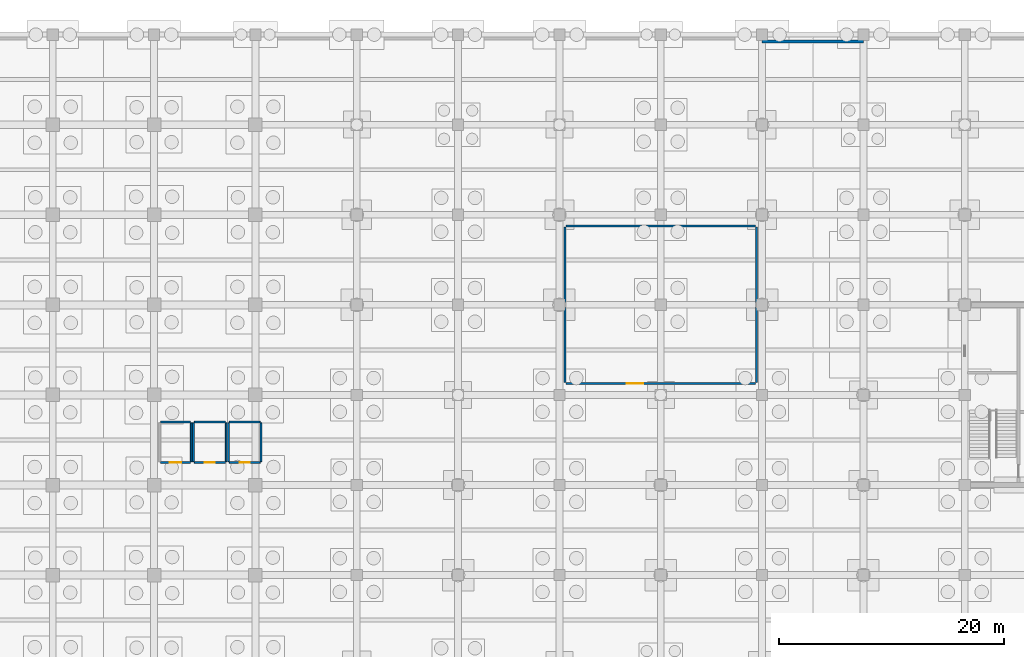
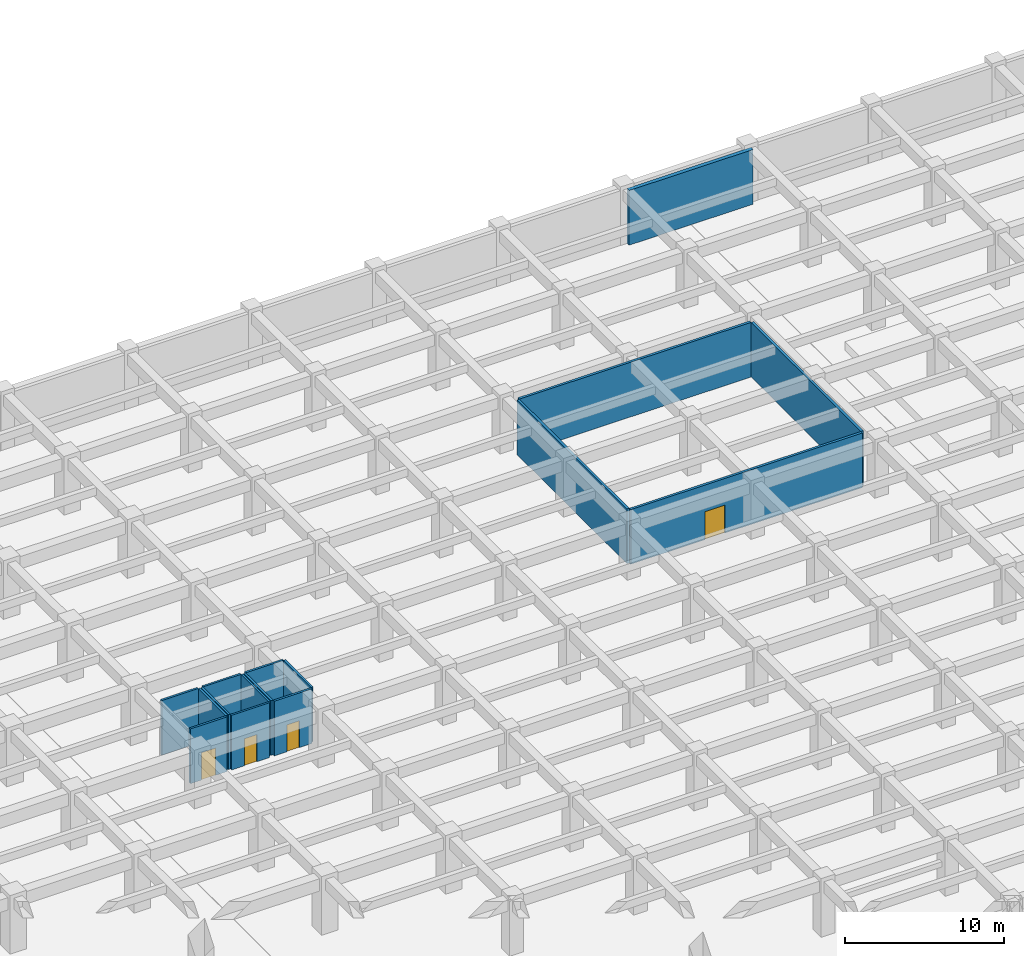
# One storey, part 23 of 31: 16 walls, 4 doors, 4 openings.
"""IFC4 building model written with IfcOpenShell, lengths in metres."""

from ifc_helpers import new_model, si_unit, direction, frame, frame_2d, origin, place, context, subcontext, project, spatial, rectangle, extrude, material, layer, layer_set, type_object, element, fill, save


model = new_model("IFC4")

# Units and contexts
model_context = context("Model", 3, precision=1e-05, world=origin(), true_north=direction((0.0, 1.0)))
body_context = subcontext(model_context, "Body", "Model", "MODEL_VIEW")
ifc_project = project(units=[si_unit("LENGTHUNIT", "METRE"), si_unit("AREAUNIT", "SQUARE_METRE"), si_unit("VOLUMEUNIT", "CUBIC_METRE"), si_unit("PLANEANGLEUNIT", "RADIAN"), si_unit("MASSUNIT", "GRAM", prefix="KILO")], contexts=[model_context])

# Site, building, storey
site_placement = place(None, origin())
site = spatial("IfcSite", under=ifc_project, at=site_placement, CompositionType="ELEMENT")
building_placement = place(site_placement, origin())
building = spatial("IfcBuilding", under=site, at=building_placement, Name="Zaverband Oceanarium and Marine Research Institute", CompositionType="ELEMENT")
storey_placement = place(building_placement, frame((0.0, 0.0, -9.0)))
storey = spatial("IfcBuildingStorey", under=building, at=storey_placement, Name="B2", CompositionType="ELEMENT", Elevation=-9.0)

# Wall, opening, door
ifc_material_1 = material(Name="Ceramic-tiled wet-room blockwork", Category="masonry")
ifc_layer_1 = layer(ifc_material_1, 0.14990234375, Name="Ceramic-tiled wet-room blockwork")
ifc_layer_set_1 = layer_set([ifc_layer_1], Name="Ceramic-tiled wet-room blockwork")
wall_type_1 = type_object("IfcWallType", Name="PT-150-WC", PredefinedType="PARTITIONING", material=ifc_layer_set_1)
wall_1_placement = place(storey_placement, frame((63.574951171875, 82.0, 0.0), z_axis=(0.0, 0.0, 1.0), x_axis=(1.0, 0.0, 0.0)))
wall_1 = element("IfcWall", 1, at=wall_1_placement, inside=storey, type_object=wall_type_1, Name="Internal partition PT-150-WC", PredefinedType="PARTITIONING", context=body_context, shape_type="SweptSolid", body=[
    extrude(rectangle(XDim=2.650146484375, YDim=0.14990234375, at=frame_2d((1.3251953125, 0.0))), origin(), (0.0, 0.0, 1.0), 4.199951171875),
])
opening_1_placement = place(wall_1_placement, frame((0.81494140625, 0.0, 0.0)))
opening_1 = element("IfcOpeningElement", 2, at=opening_1_placement, cuts=wall_1, Name="Opening ID-1020x2100", PredefinedType="OPENING", context=body_context, shape_type="SweptSolid", body=[
    extrude(rectangle(XDim=1.02001953125, YDim=2.10009765625, at=frame_2d((0.510009765625, 1.050048828125))), frame((0.0, 0.0869140625, 0.0), z_axis=(0.0, -1.0, 0.0), x_axis=(1.0, 0.0, 0.0)), (0.0, 0.0, 1.0), 0.173828125),
])
ifc_material_2 = material(Name="Hardwood-veneered acoustic timber", Category="wood")
door_type_1 = type_object("IfcDoorType", Name="ID-1020x2100", OperationType="NOTDEFINED", PredefinedType="DOOR", material=ifc_material_2)
door_1_placement = place(opening_1_placement, frame((1.02001953125, 0.0, 0.0), z_axis=(0.0, 0.0, 1.0), x_axis=(-1.0, 0.0, 0.0)))
door_1 = element("IfcDoor", 3, at=door_1_placement, inside=storey, type_object=door_type_1, Name="Accessible WC outward-swing door ID-1020x2100", OperationType="SINGLE_SWING_LEFT", OverallHeight=2.10009765625, OverallWidth=1.02001953125, PredefinedType="DOOR", context=body_context, shape_type="SweptSolid", body=[
    extrude(rectangle(XDim=1.02001953125, YDim=2.10009765625, at=frame_2d((0.510009765625, 1.050048828125))), frame((0.0, 0.02490234375, 0.0), z_axis=(0.0, -1.0, 0.0), x_axis=(1.0, 0.0, 0.0)), (0.0, 0.0, 1.0), 0.050048828125),
])
fill(opening_1, door_1)

# Walls
wall_2_placement = place(storey_placement, frame((63.574951171875, 85.60009765625, 0.0), z_axis=(0.0, 0.0, 1.0), x_axis=(1.0, 0.0, 0.0)))
element("IfcWall", 4, at=wall_2_placement, inside=storey, type_object=wall_type_1, Name="Internal partition PT-150-WC", PredefinedType="PARTITIONING", context=body_context, shape_type="SweptSolid", body=[
    extrude(rectangle(XDim=2.650146484375, YDim=0.14990234375, at=frame_2d((1.3251953125, 0.0))), origin(), (0.0, 0.0, 1.0), 4.199951171875),
])
wall_3_placement = place(storey_placement, frame((66.300048828125, 82.074951171875, 0.0), z_axis=(0.0, 0.0, 1.0), x_axis=(0.0, 1.0, 0.0)))
element("IfcWall", 5, at=wall_3_placement, inside=storey, type_object=wall_type_1, Name="Internal partition PT-150-WC", PredefinedType="PARTITIONING", context=body_context, shape_type="SweptSolid", body=[
    extrude(rectangle(XDim=3.449951171875, YDim=0.14990234375, at=frame_2d((1.72509765625, 0.0))), origin(), (0.0, 0.0, 1.0), 4.199951171875),
])

# Wall, opening, door
wall_4_placement = place(storey_placement, frame((66.574951171875, 82.0, 0.0), z_axis=(0.0, 0.0, 1.0), x_axis=(1.0, 0.0, 0.0)))
wall_4 = element("IfcWall", 6, at=wall_4_placement, inside=storey, type_object=wall_type_1, Name="Internal partition PT-150-WC", PredefinedType="PARTITIONING", context=body_context, shape_type="SweptSolid", body=[
    extrude(rectangle(XDim=2.75, YDim=0.14990234375, at=frame_2d((1.375, 0.0))), origin(), (0.0, 0.0, 1.0), 4.199951171875),
])
opening_2_placement = place(wall_4_placement, frame((0.919921875, 0.0, 0.0)))
opening_2 = element("IfcOpeningElement", 7, at=opening_2_placement, cuts=wall_4, Name="Opening ID-910x2080", PredefinedType="OPENING", context=body_context, shape_type="SweptSolid", body=[
    extrude(rectangle(XDim=0.909912109375, YDim=2.080078125, at=frame_2d((0.455078125, 1.0400390625))), frame((0.0, 0.0869140625, 0.0), z_axis=(0.0, -1.0, 0.0), x_axis=(1.0, 0.0, 0.0)), (0.0, 0.0, 1.0), 0.173828125),
])
door_type_2 = type_object("IfcDoorType", Name="ID-910x2080", OperationType="NOTDEFINED", PredefinedType="DOOR", material=ifc_material_2)
door_2_placement = place(opening_2_placement, origin())
door_2 = element("IfcDoor", 8, at=door_2_placement, inside=storey, type_object=door_type_2, Name="Sanitary washroom entrance door ID-910x2080", OperationType="SINGLE_SWING_RIGHT", OverallHeight=2.080078125, OverallWidth=0.909912109375, PredefinedType="DOOR", context=body_context, shape_type="SweptSolid", body=[
    extrude(rectangle(XDim=0.909912109375, YDim=2.080078125, at=frame_2d((0.455078125, 1.0400390625))), frame((0.0, 0.02490234375, 0.0), z_axis=(0.0, -1.0, 0.0), x_axis=(1.0, 0.0, 0.0)), (0.0, 0.0, 1.0), 0.050048828125),
])
fill(opening_2, door_2)

# Walls
wall_5_placement = place(storey_placement, frame((66.574951171875, 85.60009765625, 0.0), z_axis=(0.0, 0.0, 1.0), x_axis=(1.0, 0.0, 0.0)))
element("IfcWall", 9, at=wall_5_placement, inside=storey, type_object=wall_type_1, Name="Internal partition PT-150-WC", PredefinedType="PARTITIONING", context=body_context, shape_type="SweptSolid", body=[
    extrude(rectangle(XDim=2.75, YDim=0.14990234375, at=frame_2d((1.375, 0.0))), origin(), (0.0, 0.0, 1.0), 4.199951171875),
])
for number, where, z_axis, x_axis, name in (
    (10, (66.5, 82.074951171875, 0.0), (0.0, 0.0, 1.0), (0.0, 1.0, 0.0), "Internal partition PT-150-WC"),
    (11, (69.39990234375, 82.074951171875, 0.0), (0.0, 0.0, 1.0), (0.0, 1.0, 0.0), "Internal partition PT-150-WC"),
):
    element("IfcWall", number, at=place(storey_placement, frame(where, z_axis=z_axis, x_axis=x_axis)), inside=storey, type_object=wall_type_1, Name=name, PredefinedType="PARTITIONING", context=body_context, shape_type="SweptSolid", body=[
        extrude(rectangle(XDim=3.449951171875, YDim=0.14990234375, at=frame_2d((1.72509765625, 0.0))), origin(), (0.0, 0.0, 1.0), 4.199951171875),
    ])

# Wall, opening, door
wall_6_placement = place(storey_placement, frame((69.675048828125, 82.0, 0.0), z_axis=(0.0, 0.0, 1.0), x_axis=(1.0, 0.0, 0.0)))
wall_6 = element("IfcWall", 12, at=wall_6_placement, inside=storey, type_object=wall_type_1, Name="Internal partition PT-150-WC", PredefinedType="PARTITIONING", context=body_context, shape_type="SweptSolid", body=[
    extrude(rectangle(XDim=2.75, YDim=0.14990234375, at=frame_2d((1.375, 0.0))), origin(), (0.0, 0.0, 1.0), 4.199951171875),
])
opening_3_placement = place(wall_6_placement, frame((0.929931640625, 0.0, 0.0)))
opening_3 = element("IfcOpeningElement", 13, at=opening_3_placement, cuts=wall_6, Name="Opening ID-890x2060", PredefinedType="OPENING", context=body_context, shape_type="SweptSolid", body=[
    extrude(rectangle(XDim=0.889892578125, YDim=2.06005859375, at=frame_2d((0.44482421875, 1.030029296875))), frame((0.0, 0.0869140625, 0.0), z_axis=(0.0, -1.0, 0.0), x_axis=(1.0, 0.0, 0.0)), (0.0, 0.0, 1.0), 0.173828125),
])
door_type_3 = type_object("IfcDoorType", Name="ID-890x2060", OperationType="NOTDEFINED", PredefinedType="DOOR", material=ifc_material_2)
door_3_placement = place(opening_3_placement, origin())
door_3 = element("IfcDoor", 14, at=door_3_placement, inside=storey, type_object=door_type_3, Name="Staff WC door ID-890x2060", OperationType="SINGLE_SWING_LEFT", OverallHeight=2.06005859375, OverallWidth=0.889892578125, PredefinedType="DOOR", context=body_context, shape_type="SweptSolid", body=[
    extrude(rectangle(XDim=0.889892578125, YDim=2.06005859375, at=frame_2d((0.44482421875, 1.030029296875))), frame((0.0, 0.02490234375, 0.0), z_axis=(0.0, -1.0, 0.0), x_axis=(1.0, 0.0, 0.0)), (0.0, 0.0, 1.0), 0.050048828125),
])
fill(opening_3, door_3)

# Walls
wall_7_placement = place(storey_placement, frame((69.675048828125, 85.60009765625, 0.0), z_axis=(0.0, 0.0, 1.0), x_axis=(1.0, 0.0, 0.0)))
element("IfcWall", 15, at=wall_7_placement, inside=storey, type_object=wall_type_1, Name="Internal partition PT-150-WC", PredefinedType="PARTITIONING", context=body_context, shape_type="SweptSolid", body=[
    extrude(rectangle(XDim=2.75, YDim=0.14990234375, at=frame_2d((1.375, 0.0))), origin(), (0.0, 0.0, 1.0), 4.199951171875),
])
for number, where, z_axis, x_axis, name in (
    (16, (69.60009765625, 82.074951171875, 0.0), (0.0, 0.0, 1.0), (0.0, 1.0, 0.0), "Internal partition PT-150-WC"),
    (17, (72.5, 82.074951171875, 0.0), (0.0, 0.0, 1.0), (0.0, 1.0, 0.0), "Internal partition PT-150-WC"),
):
    element("IfcWall", number, at=place(storey_placement, frame(where, z_axis=z_axis, x_axis=x_axis)), inside=storey, type_object=wall_type_1, Name=name, PredefinedType="PARTITIONING", context=body_context, shape_type="SweptSolid", body=[
        extrude(rectangle(XDim=3.449951171875, YDim=0.14990234375, at=frame_2d((1.72509765625, 0.0))), origin(), (0.0, 0.0, 1.0), 4.199951171875),
    ])

# Wall, opening, door
ifc_material_3 = material(Name="Moisture-resistant laboratory blockwork", Category="masonry")
ifc_layer_2 = layer(ifc_material_3, 0.179931640625, Name="Moisture-resistant laboratory blockwork")
ifc_layer_set_2 = layer_set([ifc_layer_2], Name="Moisture-resistant laboratory blockwork")
wall_type_2 = type_object("IfcWallType", Name="PT-180-LB", PredefinedType="PARTITIONING", material=ifc_layer_set_2)
wall_8_placement = place(storey_placement, frame((99.590087890625, 89.0, 0.0), z_axis=(0.0, 0.0, 1.0), x_axis=(1.0, 0.0, 0.0)))
wall_8 = element("IfcWall", 18, at=wall_8_placement, inside=storey, type_object=wall_type_2, Name="Internal partition PT-180-LB", PredefinedType="PARTITIONING", context=body_context, shape_type="SweptSolid", body=[
    extrude(rectangle(XDim=16.81982421875, YDim=0.179931640625, at=frame_2d((8.409912109375, 0.0))), origin(), (0.0, 0.0, 1.0), 4.199951171875),
])
opening_4_placement = place(wall_8_placement, frame((5.3759765625, 0.0, 0.0)))
opening_4 = element("IfcOpeningElement", 19, at=opening_4_placement, cuts=wall_8, Name="Opening ID-1460x2150", PredefinedType="OPENING", context=body_context, shape_type="SweptSolid", body=[
    extrude(rectangle(XDim=1.4599609375, YDim=2.14990234375, at=frame_2d((0.72998046875, 1.074951171875))), frame((0.0, 0.10205078125, 0.0), z_axis=(0.0, -1.0, 0.0), x_axis=(1.0, 0.0, 0.0)), (0.0, 0.0, 1.0), 0.203857421875),
])
door_type_4 = type_object("IfcDoorType", Name="ID-1460x2150", OperationType="NOTDEFINED", PredefinedType="DOOR", material=ifc_material_2)
door_4_placement = place(opening_4_placement, origin())
door_4 = element("IfcDoor", 20, at=door_4_placement, inside=storey, type_object=door_type_4, Name="Wet laboratory leaf-and-a-half door ID-1460x2150", OperationType="SINGLE_SWING_LEFT", OverallHeight=2.14990234375, OverallWidth=1.4599609375, PredefinedType="DOOR", context=body_context, shape_type="SweptSolid", body=[
    extrude(rectangle(XDim=1.4599609375, YDim=2.14990234375, at=frame_2d((0.72998046875, 1.074951171875))), frame((0.0, 0.02490234375, 0.0), z_axis=(0.0, -1.0, 0.0), x_axis=(1.0, 0.0, 0.0)), (0.0, 0.0, 1.0), 0.050048828125),
])
fill(opening_4, door_4)

# Walls
wall_9_placement = place(storey_placement, frame((99.590087890625, 103.0, 0.0), z_axis=(0.0, 0.0, 1.0), x_axis=(1.0, 0.0, 0.0)))
element("IfcWall", 21, at=wall_9_placement, inside=storey, type_object=wall_type_2, Name="Internal partition PT-180-LB", PredefinedType="PARTITIONING", context=body_context, shape_type="SweptSolid", body=[
    extrude(rectangle(XDim=16.81982421875, YDim=0.179931640625, at=frame_2d((8.409912109375, 0.0))), origin(), (0.0, 0.0, 1.0), 4.199951171875),
])
for number, where, z_axis, x_axis, name in (
    (22, (99.5, 89.090087890625, 0.0), (0.0, 0.0, 1.0), (0.0, 1.0, 0.0), "Internal partition PT-180-LB"),
    (23, (116.5, 89.090087890625, 0.0), (0.0, 0.0, 1.0), (0.0, 1.0, 0.0), "Internal partition PT-180-LB"),
):
    element("IfcWall", number, at=place(storey_placement, frame(where, z_axis=z_axis, x_axis=x_axis)), inside=storey, type_object=wall_type_2, Name=name, PredefinedType="PARTITIONING", context=body_context, shape_type="SweptSolid", body=[
        extrude(rectangle(XDim=13.81982421875, YDim=0.179931640625, at=frame_2d((6.909912109375, 0.0))), origin(), (0.0, 0.0, 1.0), 4.199951171875),
    ])
ifc_material_4 = material(Name="Concrete C40/50", Category="concrete")
ifc_layer_3 = layer(ifc_material_4, 0.280029296875, Name="Concrete C40/50")
ifc_layer_set_3 = layer_set([ifc_layer_3], Name="Concrete C40/50")
wall_type_3 = type_object("IfcWallType", Name="SCW-03", PredefinedType="SOLIDWALL", material=ifc_layer_set_3)
wall_10_placement = place(storey_placement, frame((117.0, 119.39990234375, 0.0), z_axis=(0.0, 0.0, 1.0), x_axis=(1.0, 0.0, 0.0)))
element("IfcWall", 24, at=wall_10_placement, inside=storey, type_object=wall_type_3, Name="Structural concrete wall SCW-03", PredefinedType="SOLIDWALL", context=body_context, shape_type="SweptSolid", body=[
    extrude(rectangle(XDim=9.0, YDim=0.280029296875, at=frame_2d((4.5, 0.0))), origin(), (0.0, 0.0, 1.0), 4.199951171875),
])

save(model, "model.ifc")
